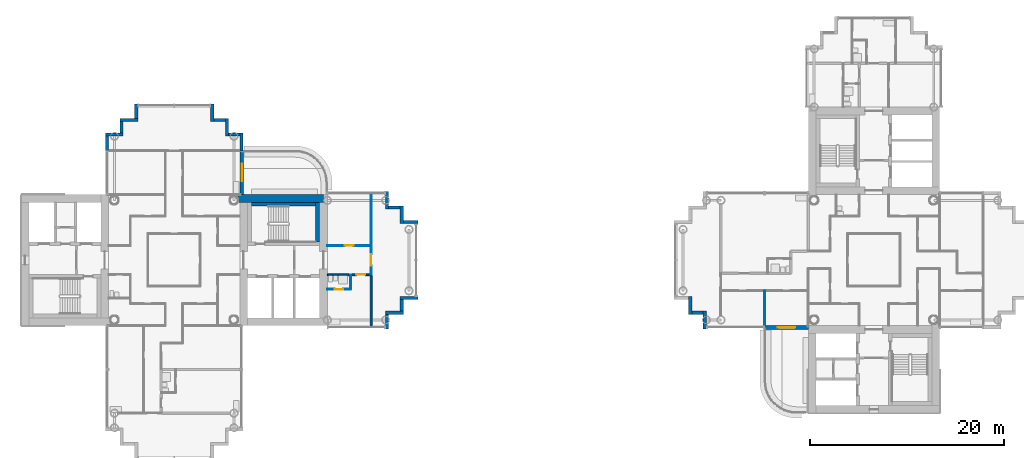
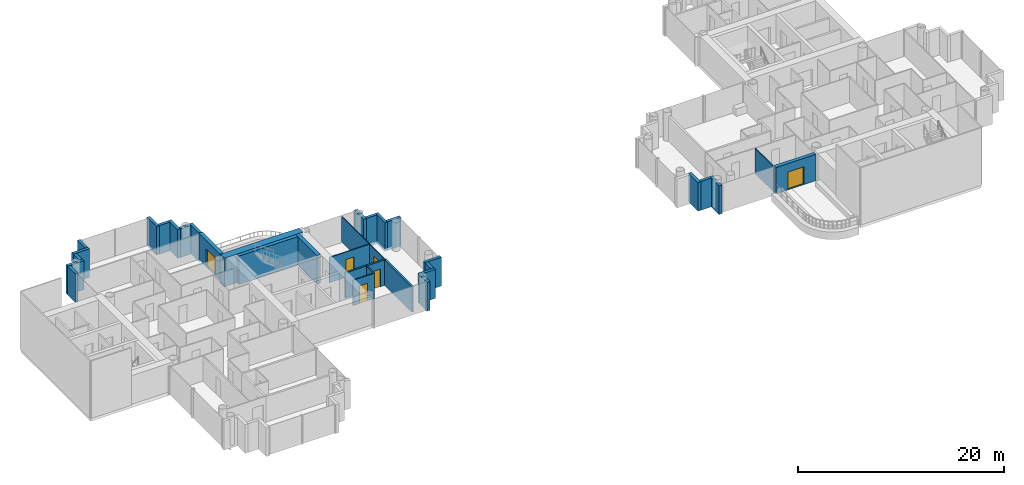
# One storey, part 9 of 19: 33 walls, 6 doors, 6 openings.
"""IFC4 building model written with IfcOpenShell, lengths in metres."""

from ifc_helpers import new_model, si_unit, direction, frame, frame_2d, origin, place, context, subcontext, project, spatial, rectangle, extrude, material, layer, layer_set, type_object, element, fill, save


model = new_model("IFC4")

# Units and contexts
model_context = context("Model", 3, precision=1e-05, world=origin(), true_north=direction((0.0, 1.0)))
body_context = subcontext(model_context, "Body", "Model", "MODEL_VIEW")
ifc_project = project(units=[si_unit("LENGTHUNIT", "METRE"), si_unit("AREAUNIT", "SQUARE_METRE"), si_unit("VOLUMEUNIT", "CUBIC_METRE"), si_unit("PLANEANGLEUNIT", "RADIAN"), si_unit("MASSUNIT", "GRAM", prefix="KILO")], contexts=[model_context])

# Site, building, storey
site_placement = place(None, origin())
site = spatial("IfcSite", under=ifc_project, at=site_placement, CompositionType="ELEMENT")
building_placement = place(site_placement, origin())
building = spatial("IfcBuilding", under=site, at=building_placement, Name="Ipe Terrace Towers", CompositionType="ELEMENT")
storey_placement = place(building_placement, frame((0.0, 0.0, 147.300048828125)))
storey = spatial("IfcBuildingStorey", under=building, at=storey_placement, Name="L40", CompositionType="ELEMENT", Elevation=147.300048828125)

# Wall, opening, door
ifc_material_1 = material(Name="Concrete C40/50 with buff precast cladding", Category="concrete")
ifc_layer_1 = layer(ifc_material_1, 0.39990234375)
ifc_layer_set_1 = layer_set([ifc_layer_1], Name="BALCONY BAY WALL 400")
wall_type_1 = type_object("IfcWallType", Name="BALCONY BAY WALL 400", PredefinedType="STANDARD", material=ifc_layer_set_1)
wall_1_placement = place(storey_placement, frame((-29.050048828125, 6.75, -0.02001953125), z_axis=(0.0, 0.0, 1.0), x_axis=(0.0, 1.0, 0.0)))
wall_1 = element("IfcWall", 1, at=wall_1_placement, inside=storey, type_object=wall_type_1, Name="T1-W-L40-28a wall", PredefinedType="STANDARD", context=body_context, shape_type="SweptSolid", body=[
    extrude(rectangle(XDim=4.5, YDim=0.39990234375, at=frame_2d((2.25, 0.0))), origin(), (0.0, 0.0, 1.0), 3.119873046875),
])
opening_1_placement = place(wall_1_placement, frame((1.35009765625, 0.0, 0.02001953125)))
opening_1 = element("IfcOpeningElement", 2, at=opening_1_placement, cuts=wall_1, Name="Opening T1-D-L40-28", PredefinedType="OPENING", context=body_context, shape_type="SweptSolid", body=[
    extrude(rectangle(XDim=1.800048828125, YDim=2.10009765625, at=frame_2d((0.89990234375, 1.050048828125))), frame((0.0, 0.2099609375, 0.0), z_axis=(0.0, -1.0, 0.0), x_axis=(1.0, 0.0, 0.0)), (0.0, 0.0, 1.0), 0.419921875),
])
ifc_material_2 = material(Name="Aluminium alloy 6063-T6 framed glazed door", Category="aluminium")
door_type_1 = type_object("IfcDoorType", Name="BALCONY DOOR 1800 x 2100 LEFT", OperationType="SINGLE_SWING_LEFT", PredefinedType="DOOR", material=ifc_material_2)
door_1_placement = place(opening_1_placement, origin())
door_1 = element("IfcDoor", 3, at=door_1_placement, inside=storey, type_object=door_type_1, Name="DB1 door", OperationType="SINGLE_SWING_LEFT", OverallHeight=2.10009765625, OverallWidth=1.800048828125, PredefinedType="DOOR", context=body_context, shape_type="SweptSolid", body=[
    extrude(rectangle(XDim=1.800048828125, YDim=2.10009765625, at=frame_2d((0.89990234375, 1.050048828125))), frame((0.0, 0.02490234375, 0.0), z_axis=(0.0, -1.0, 0.0), x_axis=(1.0, 0.0, 0.0)), (0.0, 0.0, 1.0), 0.050048828125),
])
fill(opening_1, door_1)

wall_2_placement = place(storey_placement, frame((24.75, -6.949951171875, -0.02001953125), z_axis=(0.0, 0.0, 1.0), x_axis=(1.0, 0.0, 0.0)))
wall_2 = element("IfcWall", 4, at=wall_2_placement, inside=storey, type_object=wall_type_1, Name="T2-W-L40-40a wall", PredefinedType="STANDARD", context=body_context, shape_type="SweptSolid", body=[
    extrude(rectangle(XDim=4.5, YDim=0.39990234375, at=frame_2d((2.25, 0.0))), origin(), (0.0, 0.0, 1.0), 3.119873046875),
])
opening_2_placement = place(wall_2_placement, frame((1.35009765625, 0.0, 0.02001953125)))
opening_2 = element("IfcOpeningElement", 5, at=opening_2_placement, cuts=wall_2, Name="Opening T2-D-L40-40", PredefinedType="OPENING", context=body_context, shape_type="SweptSolid", body=[
    extrude(rectangle(XDim=1.800048828125, YDim=2.10009765625, at=frame_2d((0.89990234375, 1.050048828125))), frame((0.0, 0.2099609375, 0.0), z_axis=(0.0, -1.0, 0.0), x_axis=(1.0, 0.0, 0.0)), (0.0, 0.0, 1.0), 0.419921875),
])
ifc_material_3 = material(Name="Aluminium alloy 6063-T6 framed glazed door", Category="aluminium")
door_type_2 = type_object("IfcDoorType", Name="BALCONY DOOR 1800 x 2100 RIGHT", OperationType="SINGLE_SWING_RIGHT", PredefinedType="DOOR", material=ifc_material_3)
door_2_placement = place(opening_2_placement, origin())
door_2 = element("IfcDoor", 6, at=door_2_placement, inside=storey, type_object=door_type_2, Name="DB2 door", OperationType="SINGLE_SWING_RIGHT", OverallHeight=2.10009765625, OverallWidth=1.800048828125, PredefinedType="DOOR", context=body_context, shape_type="SweptSolid", body=[
    extrude(rectangle(XDim=1.800048828125, YDim=2.10009765625, at=frame_2d((0.89990234375, 1.050048828125))), frame((0.0, 0.02490234375, 0.0), z_axis=(0.0, -1.0, 0.0), x_axis=(1.0, 0.0, 0.0)), (0.0, 0.0, 1.0), 0.050048828125),
])
fill(opening_2, door_2)

# Walls
ifc_material_4 = material(Name="Concrete C40/50 with buff precast cladding", Category="concrete")
ifc_layer_2 = layer(ifc_material_4, 0.320068359375)
ifc_layer_set_2 = layer_set([ifc_layer_2], Name="BUFF CLADDING WALL 320")
wall_type_2 = type_object("IfcWallType", Name="BUFF CLADDING WALL 320", PredefinedType="STANDARD", material=ifc_layer_set_2)
wall_3_placement = place(storey_placement, frame((-14.090087890625, -7.070068359375, -0.300048828125), z_axis=(0.0, 0.0, 1.0), x_axis=(0.0, 1.0, 0.0)))
element("IfcWall", 7, at=wall_3_placement, inside=storey, type_object=wall_type_2, Name="T1-W-L40-17a wall", PredefinedType="STANDARD", context=body_context, shape_type="SweptSolid", body=[
    extrude(rectangle(XDim=1.5, YDim=0.320068359375, at=frame_2d((0.75, 0.0))), origin(), (0.0, 0.0, 1.0), 3.39990234375),
])
wall_4_placement = place(storey_placement, frame((-14.25, -5.409912109375, -0.300048828125), z_axis=(0.0, 0.0, 1.0), x_axis=(1.0, 0.0, 0.0)))
element("IfcWall", 8, at=wall_4_placement, inside=storey, type_object=wall_type_2, Name="T1-W-L40-18a wall", PredefinedType="STANDARD", context=body_context, shape_type="SweptSolid", body=[
    extrude(rectangle(XDim=1.820068359375, YDim=0.320068359375, at=frame_2d((0.91015625, 0.0))), origin(), (0.0, 0.0, 1.0), 3.39990234375),
])
wall_5_placement = place(storey_placement, frame((-12.590087890625, -5.25, -0.300048828125), z_axis=(0.0, 0.0, 1.0), x_axis=(0.0, 1.0, 0.0)))
element("IfcWall", 9, at=wall_5_placement, inside=storey, type_object=wall_type_2, Name="T1-W-L40-19a wall", PredefinedType="STANDARD", context=body_context, shape_type="SweptSolid", body=[
    extrude(rectangle(XDim=1.179931640625, YDim=0.320068359375, at=frame_2d((0.58984375, 0.0))), origin(), (0.0, 0.0, 1.0), 3.39990234375),
])
wall_6_placement = place(storey_placement, frame((-12.75, -3.909912109375, -0.300048828125), z_axis=(0.0, 0.0, 1.0), x_axis=(1.0, 0.0, 0.0)))
element("IfcWall", 10, at=wall_6_placement, inside=storey, type_object=wall_type_2, Name="T1-W-L40-20a wall", PredefinedType="STANDARD", context=body_context, shape_type="SweptSolid", body=[
    extrude(rectangle(XDim=1.820068359375, YDim=0.320068359375, at=frame_2d((0.91015625, 0.0))), origin(), (0.0, 0.0, 1.0), 3.39990234375),
])
wall_7_placement = place(storey_placement, frame((-10.929931640625, 3.909912109375, -0.300048828125), z_axis=(0.0, 0.0, 1.0), x_axis=(-1.0, 0.0, 0.0)))
element("IfcWall", 11, at=wall_7_placement, inside=storey, type_object=wall_type_2, Name="T1-W-L40-22a wall", PredefinedType="STANDARD", context=body_context, shape_type="SweptSolid", body=[
    extrude(rectangle(XDim=1.5, YDim=0.320068359375, at=frame_2d((0.75, 0.0))), origin(), (0.0, 0.0, 1.0), 3.39990234375),
])
wall_8_placement = place(storey_placement, frame((-12.590087890625, 3.75, -0.300048828125), z_axis=(0.0, 0.0, 1.0), x_axis=(0.0, 1.0, 0.0)))
element("IfcWall", 12, at=wall_8_placement, inside=storey, type_object=wall_type_2, Name="T1-W-L40-23a wall", PredefinedType="STANDARD", context=body_context, shape_type="SweptSolid", body=[
    extrude(rectangle(XDim=1.820068359375, YDim=0.320068359375, at=frame_2d((0.91015625, 0.0))), origin(), (0.0, 0.0, 1.0), 3.39990234375),
])
wall_9_placement = place(storey_placement, frame((-12.75, 5.409912109375, -0.300048828125), z_axis=(0.0, 0.0, 1.0), x_axis=(-1.0, 0.0, 0.0)))
element("IfcWall", 13, at=wall_9_placement, inside=storey, type_object=wall_type_2, Name="T1-W-L40-24a wall", PredefinedType="STANDARD", context=body_context, shape_type="SweptSolid", body=[
    extrude(rectangle(XDim=1.179931640625, YDim=0.320068359375, at=frame_2d((0.58984375, 0.0))), origin(), (0.0, 0.0, 1.0), 3.39990234375),
])
for number, where, z_axis, x_axis, name in (
    (14, (-14.090087890625, 5.25, -0.300048828125), (0.0, 0.0, 1.0), (0.0, 1.0, 0.0), "T1-W-L40-25a wall"),
    (15, (-29.090087890625, 11.25, -0.300048828125), (0.0, 0.0, 1.0), (0.0, 1.0, 0.0), "T1-W-L40-29a wall"),
):
    element("IfcWall", number, at=place(storey_placement, frame(where, z_axis=z_axis, x_axis=x_axis)), inside=storey, type_object=wall_type_2, Name=name, PredefinedType="STANDARD", context=body_context, shape_type="SweptSolid", body=[
        extrude(rectangle(XDim=1.820068359375, YDim=0.320068359375, at=frame_2d((0.91015625, 0.0))), origin(), (0.0, 0.0, 1.0), 3.39990234375),
    ])
wall_10_placement = place(storey_placement, frame((-29.25, 12.909912109375, -0.300048828125), z_axis=(0.0, 0.0, 1.0), x_axis=(-1.0, 0.0, 0.0)))
element("IfcWall", 16, at=wall_10_placement, inside=storey, type_object=wall_type_2, Name="T1-W-L40-30a wall", PredefinedType="STANDARD", context=body_context, shape_type="SweptSolid", body=[
    extrude(rectangle(XDim=1.179931640625, YDim=0.320068359375, at=frame_2d((0.58984375, 0.0))), origin(), (0.0, 0.0, 1.0), 3.39990234375),
])
wall_11_placement = place(storey_placement, frame((-30.590087890625, 12.75, -0.300048828125), z_axis=(0.0, 0.0, 1.0), x_axis=(0.0, 1.0, 0.0)))
element("IfcWall", 17, at=wall_11_placement, inside=storey, type_object=wall_type_2, Name="T1-W-L40-31a wall", PredefinedType="STANDARD", context=body_context, shape_type="SweptSolid", body=[
    extrude(rectangle(XDim=1.820068359375, YDim=0.320068359375, at=frame_2d((0.91015625, 0.0))), origin(), (0.0, 0.0, 1.0), 3.39990234375),
])
wall_12_placement = place(storey_placement, frame((-30.75, 14.409912109375, -0.300048828125), z_axis=(0.0, 0.0, 1.0), x_axis=(-1.0, 0.0, 0.0)))
element("IfcWall", 18, at=wall_12_placement, inside=storey, type_object=wall_type_2, Name="T1-W-L40-32a wall", PredefinedType="STANDARD", context=body_context, shape_type="SweptSolid", body=[
    extrude(rectangle(XDim=1.179931640625, YDim=0.320068359375, at=frame_2d((0.58984375, 0.0))), origin(), (0.0, 0.0, 1.0), 3.39990234375),
])
wall_13_placement = place(storey_placement, frame((-32.090087890625, 14.25, -0.300048828125), z_axis=(0.0, 0.0, 1.0), x_axis=(0.0, 1.0, 0.0)))
element("IfcWall", 19, at=wall_13_placement, inside=storey, type_object=wall_type_2, Name="T1-W-L40-33a wall", PredefinedType="STANDARD", context=body_context, shape_type="SweptSolid", body=[
    extrude(rectangle(XDim=1.820068359375, YDim=0.320068359375, at=frame_2d((0.91015625, 0.0))), origin(), (0.0, 0.0, 1.0), 3.39990234375),
])
wall_14_placement = place(storey_placement, frame((-39.909912109375, 16.070068359375, -0.300048828125), z_axis=(0.0, 0.0, 1.0), x_axis=(0.0, -1.0, 0.0)))
element("IfcWall", 20, at=wall_14_placement, inside=storey, type_object=wall_type_2, Name="T1-W-L40-35a wall", PredefinedType="STANDARD", context=body_context, shape_type="SweptSolid", body=[
    extrude(rectangle(XDim=1.5, YDim=0.320068359375, at=frame_2d((0.75, 0.0))), origin(), (0.0, 0.0, 1.0), 3.39990234375),
])
wall_15_placement = place(storey_placement, frame((-39.75, 14.409912109375, -0.300048828125), z_axis=(0.0, 0.0, 1.0), x_axis=(-1.0, 0.0, 0.0)))
element("IfcWall", 21, at=wall_15_placement, inside=storey, type_object=wall_type_2, Name="T1-W-L40-36a wall", PredefinedType="STANDARD", context=body_context, shape_type="SweptSolid", body=[
    extrude(rectangle(XDim=1.820068359375, YDim=0.320068359375, at=frame_2d((0.91015625, 0.0))), origin(), (0.0, 0.0, 1.0), 3.39990234375),
])
wall_16_placement = place(storey_placement, frame((-41.409912109375, 14.25, -0.300048828125), z_axis=(0.0, 0.0, 1.0), x_axis=(0.0, -1.0, 0.0)))
element("IfcWall", 22, at=wall_16_placement, inside=storey, type_object=wall_type_2, Name="T1-W-L40-37a wall", PredefinedType="STANDARD", context=body_context, shape_type="SweptSolid", body=[
    extrude(rectangle(XDim=1.179931640625, YDim=0.320068359375, at=frame_2d((0.58984375, 0.0))), origin(), (0.0, 0.0, 1.0), 3.39990234375),
])
wall_17_placement = place(storey_placement, frame((-41.25, 12.909912109375, -0.300048828125), z_axis=(0.0, 0.0, 1.0), x_axis=(-1.0, 0.0, 0.0)))
element("IfcWall", 23, at=wall_17_placement, inside=storey, type_object=wall_type_2, Name="T1-W-L40-38a wall", PredefinedType="STANDARD", context=body_context, shape_type="SweptSolid", body=[
    extrude(rectangle(XDim=1.820068359375, YDim=0.320068359375, at=frame_2d((0.91015625, 0.0))), origin(), (0.0, 0.0, 1.0), 3.39990234375),
])
wall_18_placement = place(storey_placement, frame((-42.909912109375, 12.75, -0.300048828125), z_axis=(0.0, 0.0, 1.0), x_axis=(0.0, -1.0, 0.0)))
element("IfcWall", 24, at=wall_18_placement, inside=storey, type_object=wall_type_2, Name="T1-W-L40-39a wall", PredefinedType="STANDARD", context=body_context, shape_type="SweptSolid", body=[
    extrude(rectangle(XDim=1.5, YDim=0.320068359375, at=frame_2d((0.75, 0.0))), origin(), (0.0, 0.0, 1.0), 3.39990234375),
])
wall_19_placement = place(storey_placement, frame((17.090087890625, -3.75, -0.300048828125), z_axis=(0.0, 0.0, 1.0), x_axis=(0.0, -1.0, 0.0)))
element("IfcWall", 25, at=wall_19_placement, inside=storey, type_object=wall_type_2, Name="T2-W-L40-36a wall", PredefinedType="STANDARD", context=body_context, shape_type="SweptSolid", body=[
    extrude(rectangle(XDim=1.820068359375, YDim=0.320068359375, at=frame_2d((0.91015625, 0.0))), origin(), (0.0, 0.0, 1.0), 3.39990234375),
])
wall_20_placement = place(storey_placement, frame((17.25, -5.409912109375, -0.300048828125), z_axis=(0.0, 0.0, 1.0), x_axis=(1.0, 0.0, 0.0)))
element("IfcWall", 26, at=wall_20_placement, inside=storey, type_object=wall_type_2, Name="T2-W-L40-37a wall", PredefinedType="STANDARD", context=body_context, shape_type="SweptSolid", body=[
    extrude(rectangle(XDim=1.179931640625, YDim=0.320068359375, at=frame_2d((0.58984375, 0.0))), origin(), (0.0, 0.0, 1.0), 3.39990234375),
])
wall_21_placement = place(storey_placement, frame((18.590087890625, -5.25, -0.300048828125), z_axis=(0.0, 0.0, 1.0), x_axis=(0.0, -1.0, 0.0)))
element("IfcWall", 27, at=wall_21_placement, inside=storey, type_object=wall_type_2, Name="T2-W-L40-38a wall", PredefinedType="STANDARD", context=body_context, shape_type="SweptSolid", body=[
    extrude(rectangle(XDim=1.820068359375, YDim=0.320068359375, at=frame_2d((0.91015625, 0.0))), origin(), (0.0, 0.0, 1.0), 3.39990234375),
])
ifc_material_5 = material(Name="Gypsum board partition", Category="plasterboard")
ifc_layer_3 = layer(ifc_material_5, 0.10009765625)
ifc_layer_set_3 = layer_set([ifc_layer_3], Name="Gypsum board partition 100 mm")
wall_type_3 = type_object("IfcWallType", Name="Gypsum board partition 100 mm", PredefinedType="PARTITIONING", material=ifc_layer_set_3)
wall_22_placement = place(storey_placement, frame((-17.85009765625, -3.0, 0.0), z_axis=(0.0, 0.0, 1.0), x_axis=(0.0, 1.0, 0.0)))
element("IfcWall", 28, at=wall_22_placement, inside=storey, type_object=wall_type_3, Name="Gypsum board partition T1 L40 W15", PredefinedType="PARTITIONING", context=body_context, shape_type="SweptSolid", body=[
    extrude(rectangle(XDim=1.5, YDim=0.10009765625, at=frame_2d((0.75, 0.0))), origin(), (0.0, 0.0, 1.0), 3.0),
])

# Wall, opening, door
wall_23_placement = place(storey_placement, frame((-15.75, -1.5, 0.0), z_axis=(0.0, 0.0, 1.0), x_axis=(0.0, 1.0, 0.0)))
wall_23 = element("IfcWall", 29, at=wall_23_placement, inside=storey, type_object=wall_type_3, Name="Gypsum board partition T1 L40 W16", PredefinedType="PARTITIONING", context=body_context, shape_type="SweptSolid", body=[
    extrude(rectangle(XDim=8.35009765625, YDim=0.10009765625, at=frame_2d((4.175048828125, 0.0))), origin(), (0.0, 0.0, 1.0), 3.0),
])
opening_3_placement = place(wall_23_placement, frame((0.89990234375, 0.0, 0.0)))
opening_3 = element("IfcOpeningElement", 30, at=opening_3_placement, cuts=wall_23, Name="Opening T1-Z3B-21", PredefinedType="OPENING", context=body_context, shape_type="SweptSolid", body=[
    extrude(rectangle(XDim=1.199951171875, YDim=2.10009765625, at=frame_2d((0.60009765625, 1.050048828125))), frame((0.0, 0.06005859375, 0.0), z_axis=(0.0, -1.0, 0.0), x_axis=(1.0, 0.0, 0.0)), (0.0, 0.0, 1.0), 0.1201171875),
])
ifc_material_6 = material(Name="Timber door leaf", Category="wood")
door_type_3 = type_object("IfcDoorType", Name="Lounge door 1200 x 2100", OperationType="NOTDEFINED", PredefinedType="DOOR", material=ifc_material_6)
door_3_placement = place(opening_3_placement, origin())
door_3 = element("IfcDoor", 31, at=door_3_placement, inside=storey, type_object=door_type_3, Name="Lounge door T1-Z3B-21", OperationType="SINGLE_SWING_LEFT", OverallHeight=2.10009765625, OverallWidth=1.199951171875, PredefinedType="DOOR", context=body_context, shape_type="SweptSolid", body=[
    extrude(rectangle(XDim=1.199951171875, YDim=2.10009765625, at=frame_2d((0.60009765625, 1.050048828125))), frame((0.0, 0.02490234375, 0.0), z_axis=(0.0, -1.0, 0.0), x_axis=(1.0, 0.0, 0.0)), (0.0, 0.0, 1.0), 0.050048828125),
])
fill(opening_3, door_3)

wall_24_placement = place(storey_placement, frame((-20.25, -3.0, 0.0), z_axis=(0.0, 0.0, 1.0), x_axis=(1.0, 0.0, 0.0)))
wall_24 = element("IfcWall", 32, at=wall_24_placement, inside=storey, type_object=wall_type_3, Name="Gypsum board partition T1 L40 W28", PredefinedType="PARTITIONING", context=body_context, shape_type="SweptSolid", body=[
    extrude(rectangle(XDim=2.39990234375, YDim=0.10009765625, at=frame_2d((1.199951171875, 0.0))), origin(), (0.0, 0.0, 1.0), 3.0),
])
opening_4_placement = place(wall_24_placement, frame((0.75, 0.0, 0.0)))
opening_4 = element("IfcOpeningElement", 33, at=opening_4_placement, cuts=wall_24, Name="Opening T1-Z3B-20", PredefinedType="OPENING", context=body_context, shape_type="SweptSolid", body=[
    extrude(rectangle(XDim=0.89990234375, YDim=2.10009765625, at=frame_2d((0.449951171875, 1.050048828125))), frame((0.0, 0.06005859375, 0.0), z_axis=(0.0, -1.0, 0.0), x_axis=(1.0, 0.0, 0.0)), (0.0, 0.0, 1.0), 0.1201171875),
])
ifc_material_7 = material(Name="Timber door leaf", Category="wood")
door_type_4 = type_object("IfcDoorType", Name="Bathroom door 900 x 2100", OperationType="NOTDEFINED", PredefinedType="DOOR", material=ifc_material_7)
door_4_placement = place(opening_4_placement, origin())
door_4 = element("IfcDoor", 34, at=door_4_placement, inside=storey, type_object=door_type_4, Name="Bathroom door T1-Z3B-20", OperationType="SINGLE_SWING_LEFT", OverallHeight=2.10009765625, OverallWidth=0.89990234375, PredefinedType="DOOR", context=body_context, shape_type="SweptSolid", body=[
    extrude(rectangle(XDim=0.89990234375, YDim=2.10009765625, at=frame_2d((0.449951171875, 1.050048828125))), frame((0.0, 0.02490234375, 0.0), z_axis=(0.0, -1.0, 0.0), x_axis=(1.0, 0.0, 0.0)), (0.0, 0.0, 1.0), 0.050048828125),
])
fill(opening_4, door_4)

wall_25_placement = place(storey_placement, frame((-20.25, 1.5, 0.0), z_axis=(0.0, 0.0, 1.0), x_axis=(1.0, 0.0, 0.0)))
wall_25 = element("IfcWall", 35, at=wall_25_placement, inside=storey, type_object=wall_type_3, Name="Gypsum board partition T1 L40 W35", PredefinedType="PARTITIONING", context=body_context, shape_type="SweptSolid", body=[
    extrude(rectangle(XDim=4.5, YDim=0.10009765625, at=frame_2d((2.25, 0.0))), origin(), (0.0, 0.0, 1.0), 3.0),
])
opening_5_placement = place(wall_25_placement, frame((1.800048828125, 0.0, 0.0)))
opening_5 = element("IfcOpeningElement", 36, at=opening_5_placement, cuts=wall_25, Name="Opening T1-Z3B-18", PredefinedType="OPENING", context=body_context, shape_type="SweptSolid", body=[
    extrude(rectangle(XDim=0.89990234375, YDim=2.10009765625, at=frame_2d((0.449951171875, 1.050048828125))), frame((0.0, 0.06005859375, 0.0), z_axis=(0.0, -1.0, 0.0), x_axis=(1.0, 0.0, 0.0)), (0.0, 0.0, 1.0), 0.1201171875),
])
ifc_material_8 = material(Name="Timber door leaf", Category="wood")
door_type_5 = type_object("IfcDoorType", Name="Lounge door 900 x 2100", OperationType="NOTDEFINED", PredefinedType="DOOR", material=ifc_material_8)
door_5_placement = place(opening_5_placement, origin())
door_5 = element("IfcDoor", 37, at=door_5_placement, inside=storey, type_object=door_type_5, Name="Lounge door T1-Z3B-18", OperationType="SINGLE_SWING_LEFT", OverallHeight=2.10009765625, OverallWidth=0.89990234375, PredefinedType="DOOR", context=body_context, shape_type="SweptSolid", body=[
    extrude(rectangle(XDim=0.89990234375, YDim=2.10009765625, at=frame_2d((0.449951171875, 1.050048828125))), frame((0.0, 0.02490234375, 0.0), z_axis=(0.0, -1.0, 0.0), x_axis=(1.0, 0.0, 0.0)), (0.0, 0.0, 1.0), 0.050048828125),
])
fill(opening_5, door_5)

# Walls
wall_26_placement = place(storey_placement, frame((24.75, -6.85009765625, 0.0), z_axis=(0.0, 0.0, 1.0), x_axis=(0.0, 1.0, 0.0)))
element("IfcWall", 38, at=wall_26_placement, inside=storey, type_object=wall_type_3, Name="Gypsum board partition T2 L40 W45", PredefinedType="PARTITIONING", context=body_context, shape_type="SweptSolid", body=[
    extrude(rectangle(XDim=3.7001953125, YDim=0.10009765625, at=frame_2d((1.85009765625, 0.0))), origin(), (0.0, 0.0, 1.0), 3.0),
])
ifc_material_9 = material(Name="Gypsum board party wall", Category="plasterboard")
ifc_layer_4 = layer(ifc_material_9, 0.199951171875)
ifc_layer_set_4 = layer_set([ifc_layer_4], Name="Gypsum board party wall 200 mm")
wall_type_4 = type_object("IfcWallType", Name="Gypsum board party wall 200 mm", PredefinedType="SOLIDWALL", material=ifc_layer_set_4)
wall_27_placement = place(storey_placement, frame((-15.75, -6.85009765625, 0.0), z_axis=(0.0, 0.0, 1.0), x_axis=(0.0, 1.0, 0.0)))
element("IfcWall", 39, at=wall_27_placement, inside=storey, type_object=wall_type_4, Name="Gypsum board party wall T1 L40 W17", PredefinedType="SOLIDWALL", context=body_context, shape_type="SweptSolid", body=[
    extrude(rectangle(XDim=5.35009765625, YDim=0.199951171875, at=frame_2d((2.675048828125, 0.0))), origin(), (0.0, 0.0, 1.0), 3.0),
])

# Wall, opening, door
wall_28_placement = place(storey_placement, frame((-20.25, -1.5, 0.0), z_axis=(0.0, 0.0, 1.0), x_axis=(1.0, 0.0, 0.0)))
wall_28 = element("IfcWall", 40, at=wall_28_placement, inside=storey, type_object=wall_type_4, Name="Gypsum board party wall T1 L40 W32", PredefinedType="SOLIDWALL", context=body_context, shape_type="SweptSolid", body=[
    extrude(rectangle(XDim=4.5, YDim=0.199951171875, at=frame_2d((2.25, 0.0))), origin(), (0.0, 0.0, 1.0), 3.0),
])
opening_6_placement = place(wall_28_placement, frame((3.0, 0.0, 0.0)))
opening_6 = element("IfcOpeningElement", 41, at=opening_6_placement, cuts=wall_28, Name="Opening T1-Z3B-19", PredefinedType="OPENING", context=body_context, shape_type="SweptSolid", body=[
    extrude(rectangle(XDim=0.89990234375, YDim=2.10009765625, at=frame_2d((0.449951171875, 1.050048828125))), frame((0.0, 0.10986328125, 0.0), z_axis=(0.0, -1.0, 0.0), x_axis=(1.0, 0.0, 0.0)), (0.0, 0.0, 1.0), 0.219970703125),
])
ifc_material_10 = material(Name="Fire-rated timber door leaf", Category="wood")
door_type_6 = type_object("IfcDoorType", Name="Flat entrance door 900 x 2100 FD30S", OperationType="NOTDEFINED", PredefinedType="DOOR", material=ifc_material_10)
door_6_placement = place(opening_6_placement, origin())
door_6 = element("IfcDoor", 42, at=door_6_placement, inside=storey, type_object=door_type_6, Name="Flat entrance door T1-Z3B-19", OperationType="SINGLE_SWING_RIGHT", OverallHeight=2.10009765625, OverallWidth=0.89990234375, PredefinedType="DOOR", context=body_context, shape_type="SweptSolid", body=[
    extrude(rectangle(XDim=0.89990234375, YDim=2.10009765625, at=frame_2d((0.449951171875, 1.050048828125))), frame((0.0, 0.02490234375, 0.0), z_axis=(0.0, -1.0, 0.0), x_axis=(1.0, 0.0, 0.0)), (0.0, 0.0, 1.0), 0.050048828125),
])
fill(opening_6, door_6)

# Walls
ifc_material_11 = material(Name="Concrete C50/60", Category="concrete")
ifc_layer_5 = layer(ifc_material_11, 0.39990234375)
ifc_layer_set_5 = layer_set([ifc_layer_5], Name="RW400 CORE INFILL WALL 400 C50-60")
wall_type_5 = type_object("IfcWallType", Name="RW400 CORE INFILL WALL 400 C50-60", PredefinedType="SHEAR", material=ifc_layer_set_5)
wall_29_placement = place(storey_placement, frame((-21.25, 1.85009765625, 0.0), z_axis=(0.0, 0.0, 1.0), x_axis=(0.0, 1.0, 0.0)))
element("IfcWall", 43, at=wall_29_placement, inside=storey, type_object=wall_type_5, Name="Core infill wall T1-C1-far", PredefinedType="SHEAR", context=body_context, shape_type="SweptSolid", body=[
    extrude(rectangle(XDim=4.099853515625, YDim=0.39990234375, at=frame_2d((2.0498046875, 0.0))), origin(), (0.0, 0.0, 1.0), 3.39990234375),
])
wall_30_placement = place(storey_placement, frame((-28.050048828125, 5.75, 0.0), z_axis=(0.0, 0.0, 1.0), x_axis=(1.0, 0.0, 0.0)))
element("IfcWall", 44, at=wall_30_placement, inside=storey, type_object=wall_type_5, Name="Core infill wall T1-C1-back", PredefinedType="SHEAR", context=body_context, shape_type="SweptSolid", body=[
    extrude(rectangle(XDim=6.60009765625, YDim=0.39990234375, at=frame_2d((3.300048828125, 0.0))), origin(), (0.0, 0.0, 1.0), 3.39990234375),
])
ifc_material_12 = material(Name="Concrete C50/60", Category="concrete")
ifc_layer_6 = layer(ifc_material_12, 0.800048828125)
ifc_layer_set_6 = layer_set([ifc_layer_6], Name="RW800 CORE WALL 800 C50-60")
wall_type_6 = type_object("IfcWallType", Name="RW800 CORE WALL 800 C50-60", PredefinedType="SHEAR", material=ifc_layer_set_6)
wall_31_placement = place(storey_placement, frame((-20.652099609375, 6.35009765625, 0.0), z_axis=(0.0, 0.0, 1.0), x_axis=(-1.0, 0.0, 0.0)))
element("IfcWall", 45, at=wall_31_placement, inside=storey, type_object=wall_type_6, Name="Core wall T1-C1-Z3-W03", PredefinedType="SHEAR", context=body_context, shape_type="SweptSolid", body=[
    extrude(rectangle(XDim=8.7958984375, YDim=0.800048828125, at=frame_2d((4.39794921875, 0.0))), origin(), (0.0, 0.0, 1.0), 3.39990234375),
])

save(model, "model.ifc")
